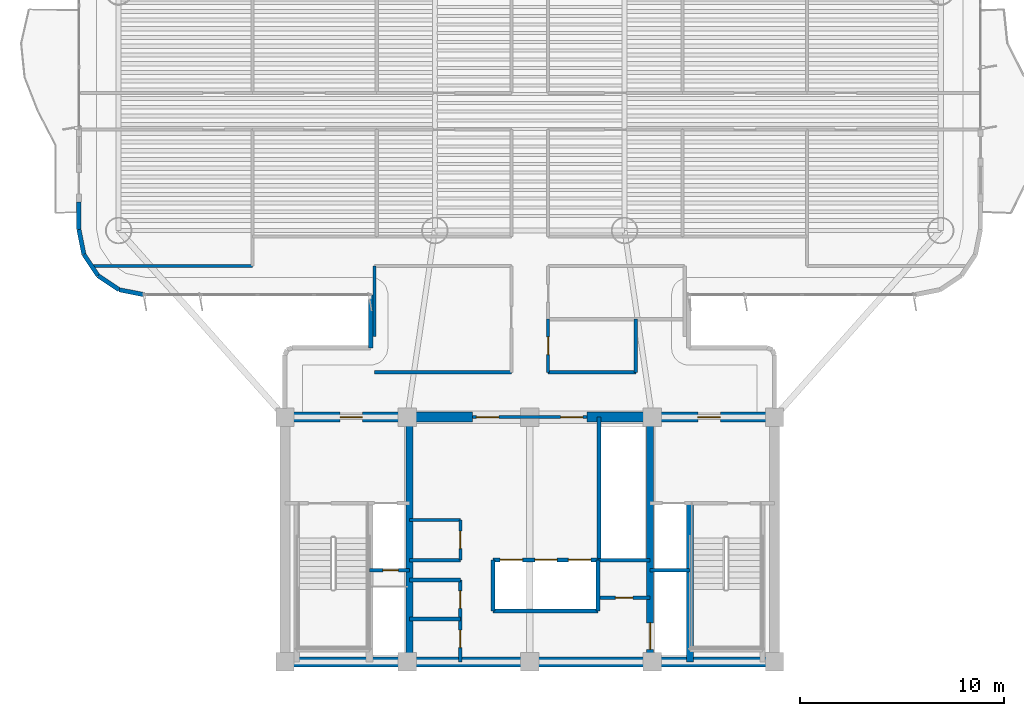
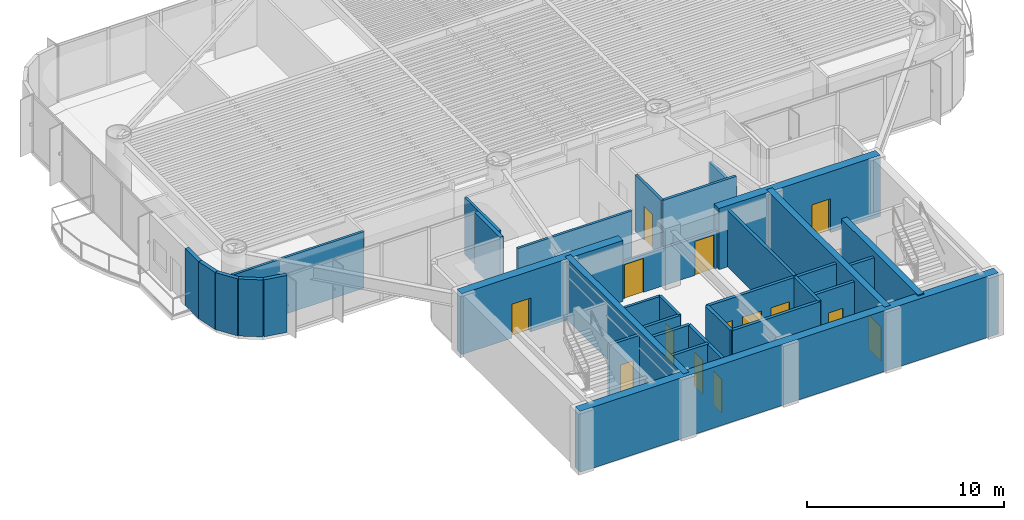
# One storey, part 9 of 16: 34 walls, 14 doors, 14 openings.
"""IFC4 building model written with IfcOpenShell, lengths in metres."""

import ifcopenshell
import ifcopenshell.guid

model = None  # the IFC model being written
_history = None  # IfcOwnerHistory: only IFC2X3 demands one
_inside = {}  # id of a spatial element -> (the spatial element, [elements in it])
_under = {}  # id of a project, library or spatial element -> (it, [spatial elements below it])
_declared = {}  # id of a project -> (the project, [libraries it declares])
_typed = {}  # id of a type object -> (the type object, [elements of that type])
_made_of = {}  # id of a material, layer set ... -> (it, [elements and type objects made of it])


def new_model(schema):
    """Start an empty IFC model of exactly this schema.

    Asked for "IFC4X3", IfcOpenShell would pick the latest addendum, in which some entities
    have other attributes; the version numbers below select the first issue.
    IFC2X3 requires an IfcOwnerHistory on every rooted entity: one is made here for all.
    """
    global model, _history
    if schema == "IFC4X3":
        model = ifcopenshell.file(schema_version=(4, 3, 0, 0))
    else:
        model = ifcopenshell.file(schema=schema)
    _inside.clear()
    _under.clear()
    _declared.clear()
    _typed.clear()
    _made_of.clear()
    _history = None
    if model.schema == "IFC2X3":
        org = make("IfcOrganization", Name="unknown")
        user = make(
            "IfcPersonAndOrganization",
            ThePerson=make("IfcPerson", FamilyName="unknown"),
            TheOrganization=org,
        )
        app = make(
            "IfcApplication",
            ApplicationDeveloper=org,
            Version="unknown",
            ApplicationFullName="unknown",
            ApplicationIdentifier="unknown",
        )
        _history = make(
            "IfcOwnerHistory",
            OwningUser=user,
            OwningApplication=app,
            ChangeAction="ADDED",
            CreationDate=0,
        )
    return model


def make(cls, **values):
    """One entity of the class cls with the attributes given. An attribute that is None is left unset."""
    return model.create_entity(
        cls, **{name: value for name, value in values.items() if value is not None}
    )


def rooted(cls, **values):
    """An entity with a GlobalId (a new one), such as an element, a storey or a relation."""
    return make(cls, GlobalId=ifcopenshell.guid.new(), OwnerHistory=_history, **values)


def si_unit(unit_type, name, prefix=None):
    """IfcSIUnit, for example si_unit("LENGTHUNIT", "METRE", prefix="MILLI")."""
    return make("IfcSIUnit", UnitType=unit_type, Prefix=prefix, Name=name)


def assignment(units):
    """IfcUnitAssignment: the units of a project."""
    return None if units is None else make("IfcUnitAssignment", Units=units)


def point(xyz):
    """IfcCartesianPoint."""
    return None if xyz is None else make("IfcCartesianPoint", Coordinates=xyz)


def direction(xyz):
    """IfcDirection."""
    return None if xyz is None else make("IfcDirection", DirectionRatios=xyz)


def frame(location, z_axis=None, x_axis=None):
    """IfcAxis2Placement3D, a coordinate frame: its origin and axes. An axis left out is left unset."""
    return make(
        "IfcAxis2Placement3D",
        Location=point(location),
        Axis=direction(z_axis),
        RefDirection=direction(x_axis),
    )


def frame_2d(location, x_axis=None):
    """IfcAxis2Placement2D, a coordinate frame in the plane: its origin and x axis."""
    return make(
        "IfcAxis2Placement2D", Location=point(location), RefDirection=direction(x_axis)
    )


def origin():
    """The frame at (0, 0, 0) with its axes left unset."""
    return frame((0.0, 0.0, 0.0))


def origin_2d():
    """The frame at (0, 0) in the plane with its x axis left unset."""
    return frame_2d((0.0, 0.0))


def place(relative_to, where):
    """IfcLocalPlacement: puts the frame where relative to a parent placement (None: the world)."""
    return make(
        "IfcLocalPlacement", PlacementRelTo=relative_to, RelativePlacement=where
    )


def context(
    kind, dimensions, precision=None, world=None, true_north=None, identifier=None
):
    """IfcGeometricRepresentationContext, for example the 3D "Model" context."""
    return make(
        "IfcGeometricRepresentationContext",
        ContextIdentifier=identifier,
        ContextType=kind,
        CoordinateSpaceDimension=dimensions,
        Precision=precision,
        WorldCoordinateSystem=world,
        TrueNorth=true_north,
    )


def subcontext(parent, identifier, kind, view, scale=None):
    """IfcGeometricRepresentationSubContext, for example "Body" below "Model"."""
    return make(
        "IfcGeometricRepresentationSubContext",
        ContextIdentifier=identifier,
        ContextType=kind,
        ParentContext=parent,
        TargetScale=scale,
        TargetView=view,
    )


def project(units=None, contexts=None):
    """IfcProject with its units and contexts."""
    return rooted(
        "IfcProject",
        Name="project",
        RepresentationContexts=contexts,
        UnitsInContext=assignment(units),
    )


def spatial(cls, under=None, at=None, **own):
    """A site, building, storey or space (cls), placed at a placement, below another one or the project."""
    s = rooted(cls, ObjectPlacement=at, **own)
    if under is not None:
        _under.setdefault(under.id(), (under, []))[1].append(s)
    return s


def profile(cls, at=None, kind="AREA", **sizes):
    """A parametric profile (cls). Its sizes go by their IFC names, for example OverallWidth=200.0."""
    return make(cls, ProfileType=kind, Position=at, **sizes)


def rectangle(**sizes):
    """IfcRectangleProfileDef."""
    return profile("IfcRectangleProfileDef", **sizes)


def extrude(swept, where, along, depth):
    """IfcExtrudedAreaSolid: the profile swept, set in the frame where, extruded along a direction by depth."""
    return make(
        "IfcExtrudedAreaSolid",
        SweptArea=swept,
        Position=where,
        ExtrudedDirection=direction(along),
        Depth=depth,
    )


def shape(context_of_items, identifier, shape_type, items):
    """IfcShapeRepresentation: the items that make up one representation, for example the "Body"."""
    return make(
        "IfcShapeRepresentation",
        ContextOfItems=context_of_items,
        RepresentationIdentifier=identifier,
        RepresentationType=shape_type,
        Items=items,
    )


def source(mapping_origin, context_of_items, identifier, shape_type, items):
    """IfcRepresentationMap: a shape defined once, which mapped items show again and again."""
    return make(
        "IfcRepresentationMap",
        MappingOrigin=mapping_origin,
        MappedRepresentation=shape(context_of_items, identifier, shape_type, items),
    )


def transform(
    local_origin,
    x_axis=None,
    y_axis=None,
    z_axis=None,
    scale=None,
    scale2=None,
    scale3=None,
    uniform=True,
):
    """IfcCartesianTransformationOperator3D, or its non-uniform kind. x_axis, y_axis, z_axis: its Axis1, 2, 3."""
    if uniform:
        return make(
            "IfcCartesianTransformationOperator3D",
            Axis1=direction(x_axis),
            Axis2=direction(y_axis),
            LocalOrigin=point(local_origin),
            Scale=scale,
            Axis3=direction(z_axis),
        )
    return make(
        "IfcCartesianTransformationOperator3DnonUniform",
        Axis1=direction(x_axis),
        Axis2=direction(y_axis),
        LocalOrigin=point(local_origin),
        Scale=scale,
        Axis3=direction(z_axis),
        Scale2=scale2,
        Scale3=scale3,
    )


def mapped(mapping_source, mapping_target):
    """IfcMappedItem: shows the shape of a source again, moved by a transform."""
    return make(
        "IfcMappedItem", MappingSource=mapping_source, MappingTarget=mapping_target
    )


def material(Name=None, Category=None):
    """IfcMaterial."""
    return make("IfcMaterial", Name=Name, Category=Category)


def layer(
    of_material, thickness, ventilated=None, Name=None, Category=None, Priority=None
):
    """IfcMaterialLayer: one layer of a wall or slab, of a material (None: an air gap)."""
    return make(
        "IfcMaterialLayer",
        Material=of_material,
        LayerThickness=thickness,
        IsVentilated=ventilated,
        Name=Name,
        Category=Category,
        Priority=Priority,
    )


def layer_set(layers, Name=None):
    """IfcMaterialLayerSet."""
    return make("IfcMaterialLayerSet", MaterialLayers=layers, LayerSetName=Name)


def made_of(thing, what):
    """Note that an element or type object is made of a material, layer set ...; save() writes the relation."""
    if what is not None:
        _made_of.setdefault(what.id(), (what, []))[1].append(thing)
    return thing


def type_object(cls, material=None, **own):
    """A type object (cls), such as IfcWallType, which elements share."""
    return made_of(rooted(cls, **own), material)


def element(
    cls,
    number,
    at=None,
    inside=None,
    cuts=None,
    type_object=None,
    material=None,
    context=None,
    identifier="Body",
    shape_type=None,
    held_by="IfcProductDefinitionShape",
    body=None,
    shapes=None,
    **own,
):
    """One element of the class cls, such as IfcWall. Its Tag is "e" and its number.

    at: its placement. inside: the storey or other place that contains it. cuts: it is an
    opening in that element (IfcRelVoidsElement). A single representation is given by context,
    identifier, shape_type and body (its items); several are given by shapes. held_by: the class
    of the entity that holds the representations. save() writes the other relations.
    """
    e = rooted(cls, Tag="e%d" % number, ObjectPlacement=at, **own)
    if body is not None:
        shapes = [shape(context, identifier, shape_type, body)]
    if shapes is not None:
        e.Representation = make(held_by, Representations=shapes)
    if inside is not None:
        _inside.setdefault(inside.id(), (inside, []))[1].append(e)
    if cuts is not None:
        rooted(
            "IfcRelVoidsElement", RelatingBuildingElement=cuts, RelatedOpeningElement=e
        )
    if type_object is not None:
        _typed.setdefault(type_object.id(), (type_object, []))[1].append(e)
    return made_of(e, material)


def fill(opening, filler):
    """IfcRelFillsElement: the door or window that sits in an opening."""
    return rooted(
        "IfcRelFillsElement",
        RelatingOpeningElement=opening,
        RelatedBuildingElement=filler,
    )


def aggregate(whole, parts):
    """IfcRelAggregates: a whole, such as a stair, and the parts it consists of."""
    return rooted("IfcRelAggregates", RelatingObject=whole, RelatedObjects=parts)


def save(model, path):
    """Write the relations noted so far, then the file.

    IfcRelAggregates (storeys below a building ...), IfcRelContainedInSpatialStructure (elements
    in a storey), IfcRelDefinesByType, IfcRelAssociatesMaterial and IfcRelDeclares: one each for
    every whole, place, type object, material and project.
    """
    for whole, parts in _under.values():
        aggregate(whole, parts)
    for where, things in _inside.values():
        rooted(
            "IfcRelContainedInSpatialStructure",
            RelatedElements=things,
            RelatingStructure=where,
        )
    for kind, things in _typed.values():
        rooted("IfcRelDefinesByType", RelatedObjects=things, RelatingType=kind)
    for what, things in _made_of.values():
        rooted("IfcRelAssociatesMaterial", RelatedObjects=things, RelatingMaterial=what)
    for by, libraries in _declared.values():
        rooted("IfcRelDeclares", RelatingContext=by, RelatedDefinitions=libraries)
    model.write(path)


model = new_model("IFC4")

# Units and contexts
model_context = context("Model", 3, precision=1e-05, world=origin(), true_north=direction((0.0, 1.0)))
body_context = subcontext(model_context, "Body", "Model", "MODEL_VIEW")
ifc_project = project(units=[si_unit("LENGTHUNIT", "METRE"), si_unit("AREAUNIT", "SQUARE_METRE"), si_unit("VOLUMEUNIT", "CUBIC_METRE"), si_unit("PLANEANGLEUNIT", "RADIAN"), si_unit("MASSUNIT", "GRAM", prefix="KILO")], contexts=[model_context])

# Site, building, storey
site_placement = place(None, origin())
site = spatial("IfcSite", under=ifc_project, at=site_placement, CompositionType="ELEMENT")
building_placement = place(site_placement, origin())
building = spatial("IfcBuilding", under=site, at=building_placement, Name="Brelvock Crest Care Tower", CompositionType="ELEMENT")
storey_placement = place(building_placement, frame((0.0, 0.0, 116.280029296875)))
storey = spatial("IfcBuildingStorey", under=building, at=storey_placement, Name="L29", CompositionType="ELEMENT", Elevation=116.280029296875)

# Wall
ifc_material_1 = material(Name="Concrete S80 (80 MPa)", Category="concrete")
ifc_layer_1 = layer(ifc_material_1, 0.5, Name="WL-CS2")
ifc_layer_set_1 = layer_set([ifc_layer_1], Name="Concrete S80 (80 MPa)")
wall_type_1 = type_object("IfcWallType", Name="WL-CS2", PredefinedType="SHEAR", material=ifc_layer_set_1)
wall_1_placement = place(storey_placement, frame((48.25, 6.0, 0.0), z_axis=(0.0, 0.0, 1.0), x_axis=(-1.0, 0.0, 0.0)))
element("IfcWall", 1, at=wall_1_placement, inside=storey, type_object=wall_type_1, Name="L29 Core South Shear Wall", PredefinedType="SHEAR", context=body_context, shape_type="SweptSolid", body=[
    extrude(rectangle(XDim=24.5, YDim=0.5, at=frame_2d((12.25, 0.0))), origin(), (0.0, 0.0, 1.0), 3.780029296875),
])

# Wall, opening, door
wall_2_placement = place(storey_placement, frame((23.75, 18.0, 0.0), z_axis=(0.0, 0.0, 1.0), x_axis=(1.0, 0.0, 0.0)))
wall_2 = element("IfcWall", 2, at=wall_2_placement, inside=storey, type_object=wall_type_1, Name="L29 Core North-West Shear Wall", PredefinedType="SHEAR", context=body_context, shape_type="SweptSolid", body=[
    extrude(rectangle(XDim=9.449951171875, YDim=0.5, at=frame_2d((4.72509765625, 0.0))), origin(), (0.0, 0.0, 1.0), 3.780029296875),
])
opening_1_placement = place(wall_2_placement, frame((2.949951171875, 0.0, 0.0)))
opening_1 = element("IfcOpeningElement", 3, at=opening_1_placement, cuts=wall_2, Name="Opening FD-1", PredefinedType="OPENING", context=body_context, shape_type="SweptSolid", body=[
    extrude(rectangle(XDim=1.10009765625, YDim=2.10009765625, at=origin_2d()), frame((0.550048828125, 0.260009765625, 1.050048828125), z_axis=(0.0, -1.0, 0.0), x_axis=(1.0, 0.0, 0.0)), (0.0, 0.0, 1.0), 0.52001953125),
])
ifc_material_2 = material(Name="Steel Grade 350", Category="steel")
door_type_1 = type_object("IfcDoorType", Name="DR-FFL1", OperationType="NOTDEFINED", PredefinedType="DOOR", material=ifc_material_2)
shared_shape_1 = source(origin(), body_context, "Body", "SweptSolid", [
    extrude(rectangle(XDim=1.10009765625, YDim=2.10009765625, at=origin_2d()), frame((0.550048828125, 0.02490234375, 1.050048828125), z_axis=(0.0, -1.0, 0.0), x_axis=(1.0, 0.0, 0.0)), (0.0, 0.0, 1.0), 0.050048828125),
])
door_1_placement = place(opening_1_placement, origin())
door_1 = element("IfcDoor", 4, at=door_1_placement, inside=storey, type_object=door_type_1, Name="L29 Firefighting Lobby FFL-1 Exit Door", OperationType="SINGLE_SWING_LEFT", OverallHeight=2.10009765625, OverallWidth=1.10009765625, PredefinedType="DOOR", context=body_context, shape_type="MappedRepresentation", body=[
    mapped(shared_shape_1, transform((0.0, 0.0, 0.0), x_axis=(1.0, 0.0, 0.0), y_axis=(0.0, 1.0, 0.0), z_axis=(0.0, 0.0, 1.0), scale=1.0)),
])
fill(opening_1, door_1)

wall_3_placement = place(storey_placement, frame((38.800048828125, 18.0, 0.0), z_axis=(0.0, 0.0, 1.0), x_axis=(1.0, 0.0, 0.0)))
wall_3 = element("IfcWall", 5, at=wall_3_placement, inside=storey, type_object=wall_type_1, Name="L29 Core North-East Shear Wall", PredefinedType="SHEAR", context=body_context, shape_type="SweptSolid", body=[
    extrude(rectangle(XDim=9.449951171875, YDim=0.5, at=frame_2d((4.72509765625, 0.0))), origin(), (0.0, 0.0, 1.0), 3.780029296875),
])
opening_2_placement = place(wall_3_placement, frame((5.449951171875, 0.0, 0.0)))
opening_2 = element("IfcOpeningElement", 6, at=opening_2_placement, cuts=wall_3, Name="Opening FD-1", PredefinedType="OPENING", context=body_context, shape_type="SweptSolid", body=[
    extrude(rectangle(XDim=1.10009765625, YDim=2.10009765625, at=origin_2d()), frame((0.550048828125, 0.260009765625, 1.050048828125), z_axis=(0.0, -1.0, 0.0), x_axis=(1.0, 0.0, 0.0)), (0.0, 0.0, 1.0), 0.52001953125),
])
door_2_placement = place(opening_2_placement, origin())
door_2 = element("IfcDoor", 7, at=door_2_placement, inside=storey, type_object=door_type_1, Name="L29 Firefighting Lobby FFL-2 Exit Door", OperationType="SINGLE_SWING_RIGHT", OverallHeight=2.10009765625, OverallWidth=1.10009765625, PredefinedType="DOOR", context=body_context, shape_type="MappedRepresentation", body=[
    mapped(shared_shape_1, transform((0.0, 0.0, 0.0), x_axis=(1.0, 0.0, 0.0), y_axis=(0.0, 1.0, 0.0), z_axis=(0.0, 0.0, 1.0), scale=1.0)),
])
fill(opening_2, door_2)

# Wall
ifc_layer_2 = layer(ifc_material_1, 0.35009765625, Name="WL-CS5")
ifc_layer_set_2 = layer_set([ifc_layer_2], Name="Concrete S80 (80 MPa)")
wall_type_2 = type_object("IfcWallType", Name="WL-CS5", PredefinedType="SHEAR", material=ifc_layer_set_2)
wall_4_placement = place(storey_placement, frame((30.10009765625, 6.0, 0.0), z_axis=(0.0, 0.0, 1.0), x_axis=(0.0, 1.0, 0.0)))
element("IfcWall", 8, at=wall_4_placement, inside=storey, type_object=wall_type_2, Name="L29 Core Internal Web Wall West", PredefinedType="SHEAR", context=body_context, shape_type="SweptSolid", body=[
    extrude(rectangle(XDim=12.0, YDim=0.35009765625, at=frame_2d((6.0, 0.0))), origin(), (0.0, 0.0, 1.0), 3.780029296875),
])

# Wall, opening, door
wall_5_placement = place(storey_placement, frame((41.89990234375, 18.0, 0.0), z_axis=(0.0, 0.0, 1.0), x_axis=(0.0, -1.0, 0.0)))
wall_5 = element("IfcWall", 9, at=wall_5_placement, inside=storey, type_object=wall_type_2, Name="L29 Core Internal Web Wall East", PredefinedType="SHEAR", context=body_context, shape_type="SweptSolid", body=[
    extrude(rectangle(XDim=12.0, YDim=0.35009765625, at=frame_2d((6.0, 0.0))), origin(), (0.0, 0.0, 1.0), 3.780029296875),
])
opening_3_placement = place(wall_5_placement, frame((10.080078125, 0.0, 0.0)))
opening_3 = element("IfcOpeningElement", 10, at=opening_3_placement, cuts=wall_5, Name="Opening LD-S", PredefinedType="OPENING", context=body_context, shape_type="SweptSolid", body=[
    extrude(rectangle(XDim=1.300048828125, YDim=2.10009765625, at=origin_2d()), frame((0.64990234375, 0.18505859375, 1.050048828125), z_axis=(0.0, -1.0, 0.0), x_axis=(1.0, 0.0, 0.0)), (0.0, 0.0, 1.0), 0.3701171875),
])
door_type_2 = type_object("IfcDoorType", Name="DR-LDS1", OperationType="NOTDEFINED", PredefinedType="DOOR", material=ifc_material_2)
shared_shape_2 = source(origin(), body_context, "Body", "SweptSolid", [
    extrude(rectangle(XDim=1.300048828125, YDim=2.10009765625, at=origin_2d()), frame((0.64990234375, 0.02490234375, 1.050048828125), z_axis=(0.0, -1.0, 0.0), x_axis=(1.0, 0.0, 0.0)), (0.0, 0.0, 1.0), 0.050048828125),
])
door_3_placement = place(opening_3_placement, origin())
door_3 = element("IfcDoor", 11, at=door_3_placement, inside=storey, type_object=door_type_2, Name="L29 Clinical Bed Lift SL-1 Landing Door", OperationType="SLIDING_TO_LEFT", OverallHeight=2.10009765625, OverallWidth=1.300048828125, PredefinedType="DOOR", context=body_context, shape_type="MappedRepresentation", body=[
    mapped(shared_shape_2, transform((0.0, 0.0, 0.0), x_axis=(1.0, 0.0, 0.0), y_axis=(0.0, 1.0, 0.0), z_axis=(0.0, 0.0, 1.0), scale=1.0)),
])
fill(opening_3, door_3)

# Walls
wall_6_placement = place(storey_placement, frame((43.85009765625, 6.0, 0.0), z_axis=(0.0, 0.0, 1.0), x_axis=(0.0, 1.0, 0.0)))
element("IfcWall", 12, at=wall_6_placement, inside=storey, type_object=wall_type_2, Name="L29 Core Stair ST-2 West Shear Wall", PredefinedType="SHEAR", context=body_context, shape_type="SweptSolid", body=[
    extrude(rectangle(XDim=7.780029296875, YDim=0.35009765625, at=frame_2d((3.89013671875, 0.0))), origin(), (0.0, 0.0, 1.0), 3.849853515625),
])
ifc_material_3 = material(Name="Precast concrete N40 (40 MPa)", Category="concrete")
ifc_layer_3 = layer(ifc_material_3, 0.215087890625, Name="WL-EX2")
ifc_layer_set_3 = layer_set([ifc_layer_3], Name="Precast concrete N40 (40 MPa)")
wall_type_3 = type_object("IfcWallType", Name="WL-EX2", PredefinedType="SOLIDWALL", material=ifc_layer_set_3)
wall_7_placement = place(storey_placement, frame((28.199951171875, 21.39990234375, 0.0), z_axis=(0.0, 0.0, 1.0), x_axis=(0.0, 1.0, 0.0)))
element("IfcWall", 13, at=wall_7_placement, inside=storey, type_object=wall_type_3, Name="L29 Rounded Corner Wall 11", PredefinedType="SOLIDWALL", context=body_context, shape_type="SweptSolid", body=[
    extrude(rectangle(XDim=2.60009765625, YDim=0.215087890625, at=frame_2d((1.300048828125, 0.0))), origin(), (0.0, 0.0, 1.0), 3.530029296875),
])
for number, where, z_axis, x_axis, name in (
    (14, (17.10009765625, 24.0, 0.0), (0.0, 0.0, 1.0), (-0.980775717779, 0.195138390419, 0.0), "L29 Rounded Corner Wall 13"),
    (15, (15.87548828125, 24.24365234375, 0.0), (0.0, 0.0, 1.0), (-0.831478245117, 0.555557312883, 0.0), "L29 Rounded Corner Wall 14"),
    (16, (14.83740234375, 24.937255859375, 0.0), (0.0, 0.0, 1.0), (-0.555692485475, 0.831387912822, 0.0), "L29 Rounded Corner Wall 15"),
    (17, (14.1435546875, 25.975341796875, 0.0), (0.0, 0.0, 1.0), (-0.195138390419, 0.980775717779, 0.0), "L29 Rounded Corner Wall 16"),
):
    element("IfcWall", number, at=place(storey_placement, frame(where, z_axis=z_axis, x_axis=x_axis)), inside=storey, type_object=wall_type_3, Name=name, PredefinedType="SOLIDWALL", context=body_context, shape_type="SweptSolid", body=[
        extrude(rectangle(XDim=1.24853515625, YDim=0.215087890625, at=frame_2d((0.624267578125, 0.0))), origin(), (0.0, 0.0, 1.0), 3.530029296875),
    ])
wall_8_placement = place(storey_placement, frame((13.89990234375, 27.199951171875, 0.0), z_axis=(0.0, 0.0, 1.0), x_axis=(0.0, 1.0, 0.0)))
element("IfcWall", 18, at=wall_8_placement, inside=storey, type_object=wall_type_3, Name="L29 Exterior Spandrel Pier E17A", PredefinedType="SOLIDWALL", context=body_context, shape_type="SweptSolid", body=[
    extrude(rectangle(XDim=1.35009765625, YDim=0.215087890625, at=frame_2d((0.675048828125, 0.0))), origin(), (0.0, 0.0, 1.0), 3.530029296875),
])
ifc_material_4 = material(Name="Masonry Blockwork Acoustic Partition", Category="masonry")
ifc_layer_4 = layer(ifc_material_4, 0.14990234375, Name="WL-INT1")
ifc_layer_set_4 = layer_set([ifc_layer_4], Name="Masonry Blockwork Acoustic Partition")
wall_type_4 = type_object("IfcWallType", Name="WL-INT1", PredefinedType="PARTITIONING", material=ifc_layer_set_4)
wall_9_placement = place(storey_placement, frame((30.10009765625, 12.949951171875, 0.0), z_axis=(0.0, 0.0, 1.0), x_axis=(1.0, 0.0, 0.0)))
element("IfcWall", 19, at=wall_9_placement, inside=storey, type_object=wall_type_4, Name="L29 Interior Wall WL-CRCL-N2-L29", PredefinedType="PARTITIONING", context=body_context, shape_type="SweptSolid", body=[
    extrude(rectangle(XDim=2.5, YDim=0.14990234375, at=frame_2d((1.25, 0.0))), origin(), (0.0, 0.0, 1.0), 3.5),
])

# Wall, opening, door
wall_10_placement = place(storey_placement, frame((32.60009765625, 11.0, 0.0), z_axis=(0.0, 0.0, 1.0), x_axis=(0.0, 1.0, 0.0)))
wall_10 = element("IfcWall", 20, at=wall_10_placement, inside=storey, type_object=wall_type_4, Name="L29 Interior Wall WL-CRCL-E-L29", PredefinedType="PARTITIONING", context=body_context, shape_type="SweptSolid", body=[
    extrude(rectangle(XDim=1.949951171875, YDim=0.14990234375, at=frame_2d((0.97509765625, 0.0))), origin(), (0.0, 0.0, 1.0), 3.5),
])
opening_4_placement = place(wall_10_placement, frame((0.550048828125, 0.0, 0.0)))
opening_4 = element("IfcOpeningElement", 21, at=opening_4_placement, cuts=wall_10, Name="Opening ID-1", PredefinedType="OPENING", context=body_context, shape_type="SweptSolid", body=[
    extrude(rectangle(XDim=0.860107421875, YDim=2.10009765625, at=origin_2d()), frame((0.43017578125, 0.0849609375, 1.050048828125), z_axis=(0.0, -1.0, 0.0), x_axis=(1.0, 0.0, 0.0)), (0.0, 0.0, 1.0), 0.169921875),
])
ifc_material_5 = material(Name="Engineered Hardwood Timber", Category="wood")
door_type_3 = type_object("IfcDoorType", Name="DR-INT1", OperationType="NOTDEFINED", PredefinedType="DOOR", material=ifc_material_5)
shared_shape_3 = source(origin(), body_context, "Body", "SweptSolid", [
    extrude(rectangle(XDim=0.860107421875, YDim=2.10009765625, at=origin_2d()), frame((0.43017578125, 0.02490234375, 1.050048828125), z_axis=(0.0, -1.0, 0.0), x_axis=(1.0, 0.0, 0.0)), (0.0, 0.0, 1.0), 0.050048828125),
])
door_4_placement = place(opening_4_placement, origin())
door_4 = element("IfcDoor", 22, at=door_4_placement, inside=storey, type_object=door_type_3, Name="DR-CRCL1-L29", OperationType="SINGLE_SWING_LEFT", OverallHeight=2.10009765625, OverallWidth=0.860107421875, PredefinedType="DOOR", context=body_context, shape_type="MappedRepresentation", body=[
    mapped(shared_shape_3, transform((0.0, 0.0, 0.0), x_axis=(1.0, 0.0, 0.0), y_axis=(0.0, 1.0, 0.0), z_axis=(0.0, 0.0, 1.0), scale=1.0)),
])
fill(opening_4, door_4)

# Wall, openings, doors
wall_11_placement = place(storey_placement, frame((33.199951171875, 18.0, 0.0), z_axis=(0.0, 0.0, 1.0), x_axis=(1.0, 0.0, 0.0)))
wall_11 = element("IfcWall", 23, at=wall_11_placement, inside=storey, type_object=wall_type_4, Name="L29 Interior Wall WL-CORE-NPORT-L29", PredefinedType="PARTITIONING", context=body_context, shape_type="SweptSolid", body=[
    extrude(rectangle(XDim=5.60009765625, YDim=0.14990234375, at=frame_2d((2.800048828125, 0.0))), origin(), (0.0, 0.0, 1.0), 2.31494140625),
])
opening_5_placement = place(wall_11_placement, frame((0.18994140625, 0.0, 0.0)))
opening_5 = element("IfcOpeningElement", 24, at=opening_5_placement, cuts=wall_11, Name="Opening FD-1", PredefinedType="OPENING", context=body_context, shape_type="SweptSolid", body=[
    extrude(rectangle(XDim=1.10009765625, YDim=2.10009765625, at=origin_2d()), frame((0.550048828125, 0.0849609375, 1.050048828125), z_axis=(0.0, -1.0, 0.0), x_axis=(1.0, 0.0, 0.0)), (0.0, 0.0, 1.0), 0.169921875),
])
opening_6_placement = place(wall_11_placement, frame((4.31005859375, 0.0, 0.0)))
opening_6 = element("IfcOpeningElement", 25, at=opening_6_placement, cuts=wall_11, Name="Opening FD-1", PredefinedType="OPENING", context=body_context, shape_type="SweptSolid", body=[
    extrude(rectangle(XDim=1.10009765625, YDim=2.10009765625, at=origin_2d()), frame((0.550048828125, 0.0849609375, 1.050048828125), z_axis=(0.0, -1.0, 0.0), x_axis=(1.0, 0.0, 0.0)), (0.0, 0.0, 1.0), 0.169921875),
])
door_5_placement = place(opening_5_placement, origin())
door_5 = element("IfcDoor", 26, at=door_5_placement, inside=storey, type_object=door_type_1, Name="L29 Lift Lobby North Smoke Door West", OperationType="SINGLE_SWING_LEFT", OverallHeight=2.10009765625, OverallWidth=1.10009765625, PredefinedType="DOOR", context=body_context, shape_type="MappedRepresentation", body=[
    mapped(shared_shape_1, transform((0.0, 0.0, 0.0), x_axis=(1.0, 0.0, 0.0), y_axis=(0.0, 1.0, 0.0), z_axis=(0.0, 0.0, 1.0), scale=1.0)),
])
fill(opening_5, door_5)
door_6_placement = place(opening_6_placement, origin())
door_6 = element("IfcDoor", 27, at=door_6_placement, inside=storey, type_object=door_type_1, Name="L29 Lift Lobby North Smoke Door East", OperationType="SINGLE_SWING_RIGHT", OverallHeight=2.10009765625, OverallWidth=1.10009765625, PredefinedType="DOOR", context=body_context, shape_type="MappedRepresentation", body=[
    mapped(shared_shape_1, transform((0.0, 0.0, 0.0), x_axis=(1.0, 0.0, 0.0), y_axis=(0.0, 1.0, 0.0), z_axis=(0.0, 0.0, 1.0), scale=1.0)),
])
fill(opening_6, door_6)

# Walls
wall_12_placement = place(storey_placement, frame((28.39990234375, 20.199951171875, 0.0), z_axis=(0.0, 0.0, 1.0), x_axis=(1.0, 0.0, 0.0)))
element("IfcWall", 28, at=wall_12_placement, inside=storey, type_object=wall_type_4, Name="L29 Interior Wall WL-BX-L29-THW-S", PredefinedType="PARTITIONING", context=body_context, shape_type="SweptSolid", body=[
    extrude(rectangle(XDim=6.7001953125, YDim=0.14990234375, at=frame_2d((3.35009765625, 0.0))), origin(), (0.0, 0.0, 1.0), 3.5),
])
wall_13_placement = place(storey_placement, frame((14.624267578125, 25.39990234375, 0.0), z_axis=(0.0, 0.0, 1.0), x_axis=(1.0, 0.0, 0.0)))
element("IfcWall", 29, at=wall_13_placement, inside=storey, type_object=wall_type_4, Name="L29 Interior Wall WL-BX-L29-SW-S2", PredefinedType="PARTITIONING", context=body_context, shape_type="SweptSolid", body=[
    extrude(rectangle(XDim=7.775634765625, YDim=0.14990234375, at=frame_2d((3.8876953125, 0.0))), origin(), (0.0, 0.0, 1.0), 3.5),
])
wall_14_placement = place(storey_placement, frame((28.39990234375, 21.957275390625, 0.0), z_axis=(0.0, 0.0, 1.0), x_axis=(0.0, 1.0, 0.0)))
element("IfcWall", 30, at=wall_14_placement, inside=storey, type_object=wall_type_4, Name="L29 Interior Wall WL-BX-L29-THW-W2", PredefinedType="PARTITIONING", context=body_context, shape_type="SweptSolid", body=[
    extrude(rectangle(XDim=3.442626953125, YDim=0.14990234375, at=frame_2d((1.72119140625, 0.0))), origin(), (0.0, 0.0, 1.0), 3.5),
])
ifc_material_6 = material(Name="Gypsum Plasterboard Partition", Category="gypsum")
ifc_layer_5 = layer(ifc_material_6, 0.159912109375, Name="WL-PLM1")
ifc_layer_set_5 = layer_set([ifc_layer_5], Name="Gypsum Plasterboard Partition")
wall_type_5 = type_object("IfcWallType", Name="WL-PLM1", PredefinedType="PLUMBINGWALL", material=ifc_layer_set_5)
wall_15_placement = place(storey_placement, frame((36.89990234375, 20.199951171875, 0.0), z_axis=(0.0, 0.0, 1.0), x_axis=(1.0, 0.0, 0.0)))
element("IfcWall", 31, at=wall_15_placement, inside=storey, type_object=wall_type_5, Name="L29 Interior Wall WL-BX-L29-THE1-S", PredefinedType="PLUMBINGWALL", context=body_context, shape_type="SweptSolid", body=[
    extrude(rectangle(XDim=4.300048828125, YDim=0.159912109375, at=frame_2d((2.14990234375, 0.0))), origin(), (0.0, 0.0, 1.0), 3.5),
])

# Wall, opening, door
wall_16_placement = place(storey_placement, frame((36.89990234375, 20.199951171875, 0.0), z_axis=(0.0, 0.0, 1.0), x_axis=(0.0, 1.0, 0.0)))
wall_16 = element("IfcWall", 32, at=wall_16_placement, inside=storey, type_object=wall_type_5, Name="L29 Interior Wall WL-RM-L29-THE1", PredefinedType="PLUMBINGWALL", context=body_context, shape_type="SweptSolid", body=[
    extrude(rectangle(XDim=2.60009765625, YDim=0.159912109375, at=frame_2d((1.300048828125, 0.0))), origin(), (0.0, 0.0, 1.0), 3.5),
])
opening_7_placement = place(wall_16_placement, frame((0.8701171875, 0.0, 0.0)))
opening_7 = element("IfcOpeningElement", 33, at=opening_7_placement, cuts=wall_16, Name="Opening WD-1", PredefinedType="OPENING", context=body_context, shape_type="SweptSolid", body=[
    extrude(rectangle(XDim=0.860107421875, YDim=2.10009765625, at=origin_2d()), frame((0.43017578125, 0.08984375, 1.050048828125), z_axis=(0.0, -1.0, 0.0), x_axis=(1.0, 0.0, 0.0)), (0.0, 0.0, 1.0), 0.179931640625),
])
door_type_4 = type_object("IfcDoorType", Name="DR-WC1", OperationType="NOTDEFINED", PredefinedType="DOOR", material=ifc_material_5)
shared_shape_4 = source(origin(), body_context, "Body", "SweptSolid", [
    extrude(rectangle(XDim=0.860107421875, YDim=2.10009765625, at=origin_2d()), frame((0.43017578125, 0.02490234375, 1.050048828125), z_axis=(0.0, -1.0, 0.0), x_axis=(1.0, 0.0, 0.0)), (0.0, 0.0, 1.0), 0.050048828125),
])
door_7_placement = place(opening_7_placement, origin())
door_7 = element("IfcDoor", 34, at=door_7_placement, inside=storey, type_object=door_type_4, Name="L29 Floor Accessible WC Door THE1", OperationType="SINGLE_SWING_LEFT", OverallHeight=2.10009765625, OverallWidth=0.860107421875, PredefinedType="DOOR", context=body_context, shape_type="MappedRepresentation", body=[
    mapped(shared_shape_4, transform((0.0, 0.0, 0.0), x_axis=(1.0, 0.0, 0.0), y_axis=(0.0, 1.0, 0.0), z_axis=(0.0, 0.0, 1.0), scale=1.0)),
])
fill(opening_7, door_7)

# Walls
wall_17_placement = place(storey_placement, frame((41.199951171875, 20.199951171875, 0.0), z_axis=(0.0, 0.0, 1.0), x_axis=(0.0, 1.0, 0.0)))
element("IfcWall", 35, at=wall_17_placement, inside=storey, type_object=wall_type_5, Name="L29 Interior Wall WL-BX-L29-THE1-E", PredefinedType="PLUMBINGWALL", context=body_context, shape_type="SweptSolid", body=[
    extrude(rectangle(XDim=2.60009765625, YDim=0.159912109375, at=frame_2d((1.300048828125, 0.0))), origin(), (0.0, 0.0, 1.0), 2.81494140625),
])
ifc_layer_6 = layer(ifc_material_4, 0.179931640625, Name="WL-SHF1")
ifc_layer_set_6 = layer_set([ifc_layer_6], Name="Masonry Blockwork Acoustic Partition")
wall_type_6 = type_object("IfcWallType", Name="WL-SHF1", PredefinedType="PARTITIONING", material=ifc_layer_set_6)
wall_18_placement = place(storey_placement, frame((34.199951171875, 8.5, 0.0), z_axis=(0.0, 0.0, 1.0), x_axis=(1.0, 0.0, 0.0)))
element("IfcWall", 36, at=wall_18_placement, inside=storey, type_object=wall_type_6, Name="L29 Interior Wall WL-PLM-S-L29", PredefinedType="PARTITIONING", context=body_context, shape_type="SweptSolid", body=[
    extrude(rectangle(XDim=5.150146484375, YDim=0.179931640625, at=frame_2d((2.5751953125, 0.0))), origin(), (0.0, 0.0, 1.0), 3.5),
])
for number, where, z_axis, x_axis, name in (
    (37, (34.199951171875, 8.5, 0.0), (0.0, 0.0, 1.0), (0.0, 1.0, 0.0), "L29 Interior Wall WL-PLM-W-L29"),
    (38, (39.35009765625, 8.5, 0.0), (0.0, 0.0, 1.0), (0.0, 1.0, 0.0), "L29 Interior Wall WL-PLM-E-L29"),
):
    element("IfcWall", number, at=place(storey_placement, frame(where, z_axis=z_axis, x_axis=x_axis)), inside=storey, type_object=wall_type_6, Name=name, PredefinedType="PARTITIONING", context=body_context, shape_type="SweptSolid", body=[
        extrude(rectangle(XDim=2.5, YDim=0.179931640625, at=frame_2d((1.25, 0.0))), origin(), (0.0, 0.0, 1.0), 3.5),
    ])
wall_19_placement = place(storey_placement, frame((39.39990234375, 11.0, 0.0), z_axis=(0.0, 0.0, 1.0), x_axis=(0.0, 1.0, 0.0)))
element("IfcWall", 39, at=wall_19_placement, inside=storey, type_object=wall_type_6, Name="L29 Interior Wall WL-PLH-SHF-L29", PredefinedType="PARTITIONING", context=body_context, shape_type="SweptSolid", body=[
    extrude(rectangle(XDim=7.0, YDim=0.179931640625, at=frame_2d((3.5, 0.0))), origin(), (0.0, 0.0, 1.0), 3.5),
])
wall_20_placement = place(storey_placement, frame((30.10009765625, 10.97998046875, 0.0), z_axis=(0.0, 0.0, 1.0), x_axis=(1.0, 0.0, 0.0)))
element("IfcWall", 40, at=wall_20_placement, inside=storey, type_object=wall_type_6, Name="L29 Interior Wall WL-CSBW-N-L29", PredefinedType="PARTITIONING", context=body_context, shape_type="SweptSolid", body=[
    extrude(rectangle(XDim=2.5, YDim=0.179931640625, at=frame_2d((1.25, 0.0))), origin(), (0.0, 0.0, 1.0), 3.5),
])
wall_21_placement = place(storey_placement, frame((39.35009765625, 10.97998046875, 0.0), z_axis=(0.0, 0.0, 1.0), x_axis=(1.0, 0.0, 0.0)))
element("IfcWall", 41, at=wall_21_placement, inside=storey, type_object=wall_type_6, Name="L29 Interior Wall WL-CSBE-N-L29", PredefinedType="PARTITIONING", context=body_context, shape_type="SweptSolid", body=[
    extrude(rectangle(XDim=2.5498046875, YDim=0.179931640625, at=frame_2d((1.27490234375, 0.0))), origin(), (0.0, 0.0, 1.0), 3.5),
])
for number, where, z_axis, x_axis, name in (
    (42, (30.10009765625, 8.10009765625, 0.0), (0.0, 0.0, 1.0), (1.0, 0.0, 0.0), "L29 Interior Wall WL-CSBW-SP-L29"),
    (43, (30.10009765625, 10.02001953125, 0.0), (0.0, 0.0, 1.0), (1.0, 0.0, 0.0), "L29 Interior Wall WL-CSBW-N2-L29"),
):
    element("IfcWall", number, at=place(storey_placement, frame(where, z_axis=z_axis, x_axis=x_axis)), inside=storey, type_object=wall_type_6, Name=name, PredefinedType="PARTITIONING", context=body_context, shape_type="SweptSolid", body=[
        extrude(rectangle(XDim=2.5, YDim=0.179931640625, at=frame_2d((1.25, 0.0))), origin(), (0.0, 0.0, 1.0), 3.5),
    ])

# Wall, openings, doors
wall_22_placement = place(storey_placement, frame((32.60009765625, 6.0, 0.0), z_axis=(0.0, 0.0, 1.0), x_axis=(0.0, 1.0, 0.0)))
wall_22 = element("IfcWall", 44, at=wall_22_placement, inside=storey, type_object=wall_type_6, Name="L29 Interior Wall WL-CSBW-E-L29", PredefinedType="PARTITIONING", context=body_context, shape_type="SweptSolid", body=[
    extrude(rectangle(XDim=4.02001953125, YDim=0.179931640625, at=frame_2d((2.010009765625, 0.0))), origin(), (0.0, 0.0, 1.0), 3.5),
])
opening_8_placement = place(wall_22_placement, frame((0.699951171875, 0.0, 0.0)))
opening_8 = element("IfcOpeningElement", 45, at=opening_8_placement, cuts=wall_22, Name="Opening ID-1", PredefinedType="OPENING", context=body_context, shape_type="SweptSolid", body=[
    extrude(rectangle(XDim=0.860107421875, YDim=2.10009765625, at=origin_2d()), frame((0.43017578125, 0.10009765625, 1.050048828125), z_axis=(0.0, -1.0, 0.0), x_axis=(1.0, 0.0, 0.0)), (0.0, 0.0, 1.0), 0.199951171875),
])
opening_9_placement = place(wall_22_placement, frame((2.6201171875, 0.0, 0.0)))
opening_9 = element("IfcOpeningElement", 46, at=opening_9_placement, cuts=wall_22, Name="Opening ID-1", PredefinedType="OPENING", context=body_context, shape_type="SweptSolid", body=[
    extrude(rectangle(XDim=0.860107421875, YDim=2.10009765625, at=origin_2d()), frame((0.43017578125, 0.10009765625, 1.050048828125), z_axis=(0.0, -1.0, 0.0), x_axis=(1.0, 0.0, 0.0)), (0.0, 0.0, 1.0), 0.199951171875),
])
door_8_placement = place(opening_8_placement, origin())
door_8 = element("IfcDoor", 47, at=door_8_placement, inside=storey, type_object=door_type_3, Name="DR-CSBW1-L29", OperationType="SINGLE_SWING_LEFT", OverallHeight=2.10009765625, OverallWidth=0.860107421875, PredefinedType="DOOR", context=body_context, shape_type="MappedRepresentation", body=[
    mapped(shared_shape_3, transform((0.0, 0.0, 0.0), x_axis=(1.0, 0.0, 0.0), y_axis=(0.0, 1.0, 0.0), z_axis=(0.0, 0.0, 1.0), scale=1.0)),
])
fill(opening_8, door_8)
door_9_placement = place(opening_9_placement, origin())
door_9 = element("IfcDoor", 48, at=door_9_placement, inside=storey, type_object=door_type_3, Name="DR-CSBW2-L29", OperationType="SINGLE_SWING_RIGHT", OverallHeight=2.10009765625, OverallWidth=0.860107421875, PredefinedType="DOOR", context=body_context, shape_type="MappedRepresentation", body=[
    mapped(shared_shape_3, transform((0.0, 0.0, 0.0), x_axis=(1.0, 0.0, 0.0), y_axis=(0.0, 1.0, 0.0), z_axis=(0.0, 0.0, 1.0), scale=1.0)),
])
fill(opening_9, door_9)

# Wall, opening, door
wall_23_placement = place(storey_placement, frame((39.35009765625, 9.14990234375, 0.0), z_axis=(0.0, 0.0, 1.0), x_axis=(1.0, 0.0, 0.0)))
wall_23 = element("IfcWall", 49, at=wall_23_placement, inside=storey, type_object=wall_type_6, Name="L29 Interior Wall WL-CSBE-S-L29", PredefinedType="PARTITIONING", context=body_context, shape_type="SweptSolid", body=[
    extrude(rectangle(XDim=2.5498046875, YDim=0.179931640625, at=frame_2d((1.27490234375, 0.0))), origin(), (0.0, 0.0, 1.0), 3.5),
])
opening_10_placement = place(wall_23_placement, frame((0.85009765625, 0.0, 0.0)))
opening_10 = element("IfcOpeningElement", 50, at=opening_10_placement, cuts=wall_23, Name="Opening ID-1", PredefinedType="OPENING", context=body_context, shape_type="SweptSolid", body=[
    extrude(rectangle(XDim=0.860107421875, YDim=2.10009765625, at=origin_2d()), frame((0.43017578125, 0.10009765625, 1.050048828125), z_axis=(0.0, -1.0, 0.0), x_axis=(1.0, 0.0, 0.0)), (0.0, 0.0, 1.0), 0.199951171875),
])
door_10_placement = place(opening_10_placement, origin())
door_10 = element("IfcDoor", 51, at=door_10_placement, inside=storey, type_object=door_type_3, Name="DR-CSBE-L29", OperationType="SINGLE_SWING_LEFT", OverallHeight=2.10009765625, OverallWidth=0.860107421875, PredefinedType="DOOR", context=body_context, shape_type="MappedRepresentation", body=[
    mapped(shared_shape_3, transform((0.0, 0.0, 0.0), x_axis=(1.0, 0.0, 0.0), y_axis=(0.0, 1.0, 0.0), z_axis=(0.0, 0.0, 1.0), scale=1.0)),
])
fill(opening_10, door_10)

wall_24_placement = place(storey_placement, frame((28.14990234375, 10.5, 0.0), z_axis=(0.0, 0.0, 1.0), x_axis=(1.0, 0.0, 0.0)))
wall_24 = element("IfcWall", 52, at=wall_24_placement, inside=storey, type_object=wall_type_6, Name="L29 Interior Wall WL-FFH1-S-L29", PredefinedType="PARTITIONING", context=body_context, shape_type="SweptSolid", body=[
    extrude(rectangle(XDim=1.9501953125, YDim=0.179931640625, at=frame_2d((0.97509765625, 0.0))), origin(), (0.0, 0.0, 1.0), 3.5),
])
opening_11_placement = place(wall_24_placement, frame((0.64990234375, 0.0, 0.0)))
opening_11 = element("IfcOpeningElement", 53, at=opening_11_placement, cuts=wall_24, Name="Opening RD-1", PredefinedType="OPENING", context=body_context, shape_type="SweptSolid", body=[
    extrude(rectangle(XDim=0.760009765625, YDim=2.050048828125, at=origin_2d()), frame((0.3798828125, 0.10009765625, 1.02490234375), z_axis=(0.0, -1.0, 0.0), x_axis=(1.0, 0.0, 0.0)), (0.0, 0.0, 1.0), 0.199951171875),
])
door_type_5 = type_object("IfcDoorType", Name="DR-RIS1", OperationType="NOTDEFINED", PredefinedType="DOOR", material=ifc_material_2)
shared_shape_5 = source(origin(), body_context, "Body", "SweptSolid", [
    extrude(rectangle(XDim=0.760009765625, YDim=2.050048828125, at=origin_2d()), frame((0.3798828125, 0.02490234375, 1.02490234375), z_axis=(0.0, -1.0, 0.0), x_axis=(1.0, 0.0, 0.0)), (0.0, 0.0, 1.0), 0.050048828125),
])
door_11_placement = place(opening_11_placement, origin())
door_11 = element("IfcDoor", 54, at=door_11_placement, inside=storey, type_object=door_type_5, Name="L29 Wet Fire Riser Access Door", OperationType="SINGLE_SWING_LEFT", OverallHeight=2.050048828125, OverallWidth=0.760009765625, PredefinedType="DOOR", context=body_context, shape_type="MappedRepresentation", body=[
    mapped(shared_shape_5, transform((0.0, 0.0, 0.0), x_axis=(1.0, 0.0, 0.0), y_axis=(0.0, 1.0, 0.0), z_axis=(0.0, 0.0, 1.0), scale=1.0)),
])
fill(opening_11, door_11)

# Wall
wall_25_placement = place(storey_placement, frame((41.89990234375, 10.5, 0.0), z_axis=(0.0, 0.0, 1.0), x_axis=(1.0, 0.0, 0.0)))
element("IfcWall", 55, at=wall_25_placement, inside=storey, type_object=wall_type_6, Name="L29 Interior Wall WL-FFH2-S-L29", PredefinedType="PARTITIONING", context=body_context, shape_type="SweptSolid", body=[
    extrude(rectangle(XDim=1.9501953125, YDim=0.179931640625, at=frame_2d((0.97509765625, 0.0))), origin(), (0.0, 0.0, 1.0), 3.5),
])

# Wall, openings, doors
wall_26_placement = place(storey_placement, frame((34.199951171875, 11.0, 0.0), z_axis=(0.0, 0.0, 1.0), x_axis=(1.0, 0.0, 0.0)))
wall_26 = element("IfcWall", 56, at=wall_26_placement, inside=storey, type_object=wall_type_6, Name="L29 Interior Wall WL-PLM-BANK-L29", PredefinedType="PARTITIONING", context=body_context, shape_type="SweptSolid", body=[
    extrude(rectangle(XDim=5.150146484375, YDim=0.179931640625, at=frame_2d((2.5751953125, 0.0))), origin(), (0.0, 0.0, 1.0), 3.5),
])
opening_12_placement = place(wall_26_placement, frame((0.35009765625, 0.0, 0.0)))
opening_12 = element("IfcOpeningElement", 57, at=opening_12_placement, cuts=wall_26, Name="Opening LD", PredefinedType="OPENING", context=body_context, shape_type="SweptSolid", body=[
    extrude(rectangle(XDim=1.10009765625, YDim=2.10009765625, at=origin_2d()), frame((0.550048828125, 0.10009765625, 1.050048828125), z_axis=(0.0, -1.0, 0.0), x_axis=(1.0, 0.0, 0.0)), (0.0, 0.0, 1.0), 0.199951171875),
])
opening_13_placement = place(wall_26_placement, frame((2.050048828125, 0.0, 0.0)))
opening_13 = element("IfcOpeningElement", 58, at=opening_13_placement, cuts=wall_26, Name="Opening LD", PredefinedType="OPENING", context=body_context, shape_type="SweptSolid", body=[
    extrude(rectangle(XDim=1.10009765625, YDim=2.10009765625, at=origin_2d()), frame((0.550048828125, 0.10009765625, 1.050048828125), z_axis=(0.0, -1.0, 0.0), x_axis=(1.0, 0.0, 0.0)), (0.0, 0.0, 1.0), 0.199951171875),
])
opening_14_placement = place(wall_26_placement, frame((3.699951171875, 0.0, 0.0)))
opening_14 = element("IfcOpeningElement", 59, at=opening_14_placement, cuts=wall_26, Name="Opening LD", PredefinedType="OPENING", context=body_context, shape_type="SweptSolid", body=[
    extrude(rectangle(XDim=1.10009765625, YDim=2.10009765625, at=origin_2d()), frame((0.550048828125, 0.10009765625, 1.050048828125), z_axis=(0.0, -1.0, 0.0), x_axis=(1.0, 0.0, 0.0)), (0.0, 0.0, 1.0), 0.199951171875),
])
door_type_6 = type_object("IfcDoorType", Name="DR-LD1", OperationType="NOTDEFINED", PredefinedType="DOOR", material=ifc_material_2)
shared_shape_6 = source(origin(), body_context, "Body", "SweptSolid", [
    extrude(rectangle(XDim=1.10009765625, YDim=2.10009765625, at=origin_2d()), frame((0.550048828125, 0.02490234375, 1.050048828125), z_axis=(0.0, -1.0, 0.0), x_axis=(1.0, 0.0, 0.0)), (0.0, 0.0, 1.0), 0.050048828125),
])
door_12_placement = place(opening_12_placement, origin())
door_12 = element("IfcDoor", 60, at=door_12_placement, inside=storey, type_object=door_type_6, Name="L29 Lift PL-M1 Landing Door", OperationType="SLIDING_TO_LEFT", OverallHeight=2.10009765625, OverallWidth=1.10009765625, PredefinedType="DOOR", context=body_context, shape_type="MappedRepresentation", body=[
    mapped(shared_shape_6, transform((0.0, 0.0, 0.0), x_axis=(1.0, 0.0, 0.0), y_axis=(0.0, 1.0, 0.0), z_axis=(0.0, 0.0, 1.0), scale=1.0)),
])
fill(opening_12, door_12)
door_13_placement = place(opening_13_placement, origin())
door_13 = element("IfcDoor", 61, at=door_13_placement, inside=storey, type_object=door_type_6, Name="L29 Lift PL-M2 Landing Door", OperationType="SLIDING_TO_LEFT", OverallHeight=2.10009765625, OverallWidth=1.10009765625, PredefinedType="DOOR", context=body_context, shape_type="MappedRepresentation", body=[
    mapped(shared_shape_6, transform((0.0, 0.0, 0.0), x_axis=(1.0, 0.0, 0.0), y_axis=(0.0, 1.0, 0.0), z_axis=(0.0, 0.0, 1.0), scale=1.0)),
])
fill(opening_13, door_13)
door_14_placement = place(opening_14_placement, origin())
door_14 = element("IfcDoor", 62, at=door_14_placement, inside=storey, type_object=door_type_6, Name="L29 Lift PL-M3 Landing Door", OperationType="SLIDING_TO_LEFT", OverallHeight=2.10009765625, OverallWidth=1.10009765625, PredefinedType="DOOR", context=body_context, shape_type="MappedRepresentation", body=[
    mapped(shared_shape_6, transform((0.0, 0.0, 0.0), x_axis=(1.0, 0.0, 0.0), y_axis=(0.0, 1.0, 0.0), z_axis=(0.0, 0.0, 1.0), scale=1.0)),
])
fill(opening_14, door_14)

save(model, "model.ifc")
